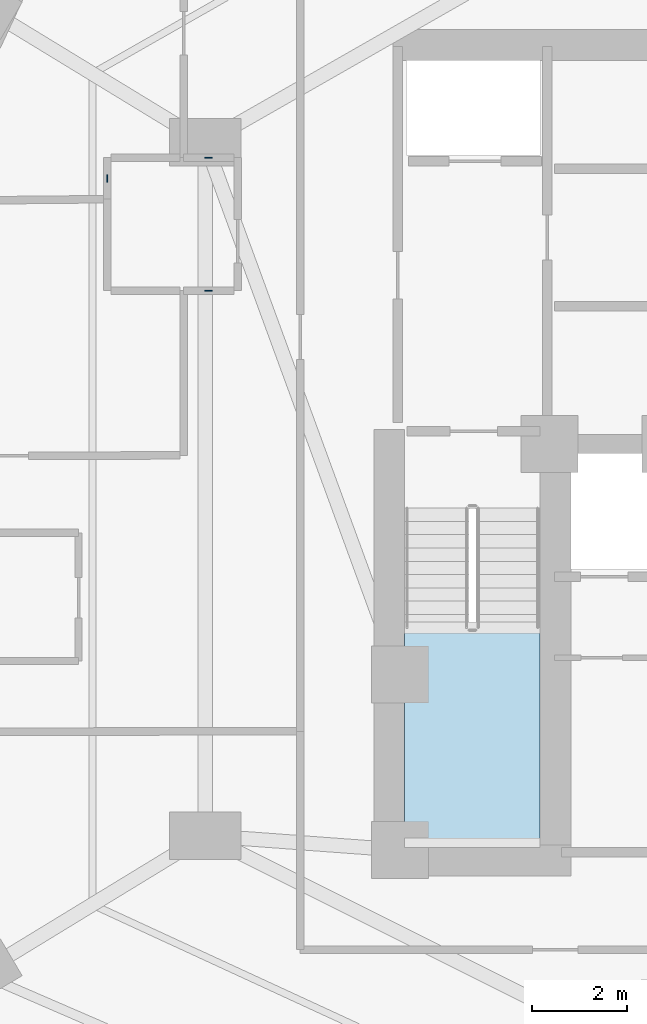
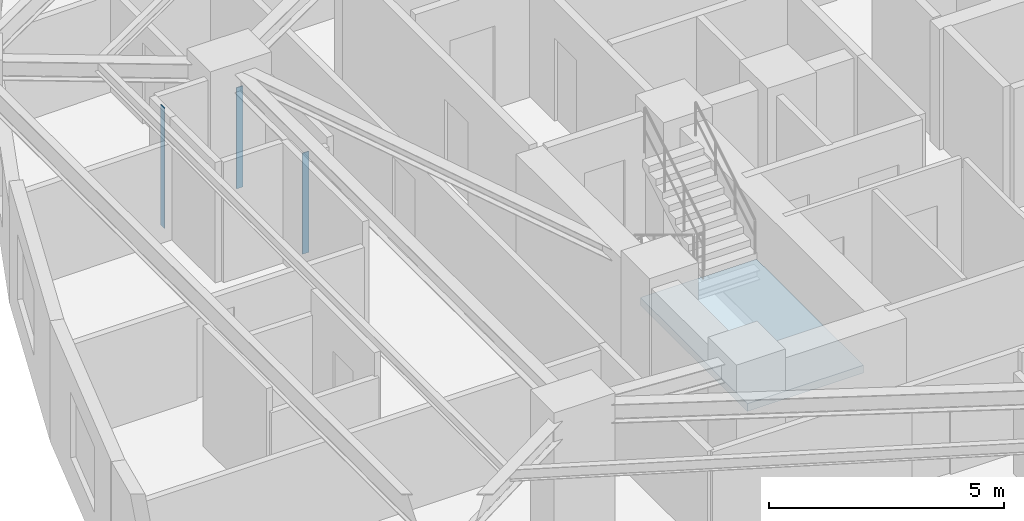
# One storey, part 2 of 13: 3 plates, 1 slab, 1 element without a shape of its own.
"""IFC4 building model written with IfcOpenShell, lengths in metres."""

import ifcopenshell
import ifcopenshell.guid

model = None  # the IFC model being written
_history = None  # IfcOwnerHistory: only IFC2X3 demands one
_inside = {}  # id of a spatial element -> (the spatial element, [elements in it])
_under = {}  # id of a project, library or spatial element -> (it, [spatial elements below it])
_declared = {}  # id of a project -> (the project, [libraries it declares])
_typed = {}  # id of a type object -> (the type object, [elements of that type])
_made_of = {}  # id of a material, layer set ... -> (it, [elements and type objects made of it])


def new_model(schema):
    """Start an empty IFC model of exactly this schema.

    Asked for "IFC4X3", IfcOpenShell would pick the latest addendum, in which some entities
    have other attributes; the version numbers below select the first issue.
    IFC2X3 requires an IfcOwnerHistory on every rooted entity: one is made here for all.
    """
    global model, _history
    if schema == "IFC4X3":
        model = ifcopenshell.file(schema_version=(4, 3, 0, 0))
    else:
        model = ifcopenshell.file(schema=schema)
    _inside.clear()
    _under.clear()
    _declared.clear()
    _typed.clear()
    _made_of.clear()
    _history = None
    if model.schema == "IFC2X3":
        org = make("IfcOrganization", Name="unknown")
        user = make(
            "IfcPersonAndOrganization",
            ThePerson=make("IfcPerson", FamilyName="unknown"),
            TheOrganization=org,
        )
        app = make(
            "IfcApplication",
            ApplicationDeveloper=org,
            Version="unknown",
            ApplicationFullName="unknown",
            ApplicationIdentifier="unknown",
        )
        _history = make(
            "IfcOwnerHistory",
            OwningUser=user,
            OwningApplication=app,
            ChangeAction="ADDED",
            CreationDate=0,
        )
    return model


def make(cls, **values):
    """One entity of the class cls with the attributes given. An attribute that is None is left unset."""
    return model.create_entity(
        cls, **{name: value for name, value in values.items() if value is not None}
    )


def rooted(cls, **values):
    """An entity with a GlobalId (a new one), such as an element, a storey or a relation."""
    return make(cls, GlobalId=ifcopenshell.guid.new(), OwnerHistory=_history, **values)


def si_unit(unit_type, name, prefix=None):
    """IfcSIUnit, for example si_unit("LENGTHUNIT", "METRE", prefix="MILLI")."""
    return make("IfcSIUnit", UnitType=unit_type, Prefix=prefix, Name=name)


def assignment(units):
    """IfcUnitAssignment: the units of a project."""
    return None if units is None else make("IfcUnitAssignment", Units=units)


def point(xyz):
    """IfcCartesianPoint."""
    return None if xyz is None else make("IfcCartesianPoint", Coordinates=xyz)


def direction(xyz):
    """IfcDirection."""
    return None if xyz is None else make("IfcDirection", DirectionRatios=xyz)


def frame(location, z_axis=None, x_axis=None):
    """IfcAxis2Placement3D, a coordinate frame: its origin and axes. An axis left out is left unset."""
    return make(
        "IfcAxis2Placement3D",
        Location=point(location),
        Axis=direction(z_axis),
        RefDirection=direction(x_axis),
    )


def frame_2d(location, x_axis=None):
    """IfcAxis2Placement2D, a coordinate frame in the plane: its origin and x axis."""
    return make(
        "IfcAxis2Placement2D", Location=point(location), RefDirection=direction(x_axis)
    )


def origin():
    """The frame at (0, 0, 0) with its axes left unset."""
    return frame((0.0, 0.0, 0.0))


def origin_2d():
    """The frame at (0, 0) in the plane with its x axis left unset."""
    return frame_2d((0.0, 0.0))


def place(relative_to, where):
    """IfcLocalPlacement: puts the frame where relative to a parent placement (None: the world)."""
    return make(
        "IfcLocalPlacement", PlacementRelTo=relative_to, RelativePlacement=where
    )


def context(
    kind, dimensions, precision=None, world=None, true_north=None, identifier=None
):
    """IfcGeometricRepresentationContext, for example the 3D "Model" context."""
    return make(
        "IfcGeometricRepresentationContext",
        ContextIdentifier=identifier,
        ContextType=kind,
        CoordinateSpaceDimension=dimensions,
        Precision=precision,
        WorldCoordinateSystem=world,
        TrueNorth=true_north,
    )


def subcontext(parent, identifier, kind, view, scale=None):
    """IfcGeometricRepresentationSubContext, for example "Body" below "Model"."""
    return make(
        "IfcGeometricRepresentationSubContext",
        ContextIdentifier=identifier,
        ContextType=kind,
        ParentContext=parent,
        TargetScale=scale,
        TargetView=view,
    )


def project(units=None, contexts=None):
    """IfcProject with its units and contexts."""
    return rooted(
        "IfcProject",
        Name="project",
        RepresentationContexts=contexts,
        UnitsInContext=assignment(units),
    )


def spatial(cls, under=None, at=None, **own):
    """A site, building, storey or space (cls), placed at a placement, below another one or the project."""
    s = rooted(cls, ObjectPlacement=at, **own)
    if under is not None:
        _under.setdefault(under.id(), (under, []))[1].append(s)
    return s


def polyline(points):
    """IfcPolyline through the points."""
    return make("IfcPolyline", Points=[point(p) for p in points])


def profile(cls, at=None, kind="AREA", **sizes):
    """A parametric profile (cls). Its sizes go by their IFC names, for example OverallWidth=200.0."""
    return make(cls, ProfileType=kind, Position=at, **sizes)


def rectangle(**sizes):
    """IfcRectangleProfileDef."""
    return profile("IfcRectangleProfileDef", **sizes)


def outline(outer, holes=None, kind="AREA"):
    """IfcArbitraryClosedProfileDef: a profile drawn as a closed curve; with holes, ...WithVoids."""
    if holes is None:
        return make("IfcArbitraryClosedProfileDef", ProfileType=kind, OuterCurve=outer)
    return make(
        "IfcArbitraryProfileDefWithVoids",
        ProfileType=kind,
        OuterCurve=outer,
        InnerCurves=holes,
    )


def extrude(swept, where, along, depth):
    """IfcExtrudedAreaSolid: the profile swept, set in the frame where, extruded along a direction by depth."""
    return make(
        "IfcExtrudedAreaSolid",
        SweptArea=swept,
        Position=where,
        ExtrudedDirection=direction(along),
        Depth=depth,
    )


def shape(context_of_items, identifier, shape_type, items):
    """IfcShapeRepresentation: the items that make up one representation, for example the "Body"."""
    return make(
        "IfcShapeRepresentation",
        ContextOfItems=context_of_items,
        RepresentationIdentifier=identifier,
        RepresentationType=shape_type,
        Items=items,
    )


def material(Name=None, Category=None):
    """IfcMaterial."""
    return make("IfcMaterial", Name=Name, Category=Category)


def layer(
    of_material, thickness, ventilated=None, Name=None, Category=None, Priority=None
):
    """IfcMaterialLayer: one layer of a wall or slab, of a material (None: an air gap)."""
    return make(
        "IfcMaterialLayer",
        Material=of_material,
        LayerThickness=thickness,
        IsVentilated=ventilated,
        Name=Name,
        Category=Category,
        Priority=Priority,
    )


def layer_set(layers, Name=None):
    """IfcMaterialLayerSet."""
    return make("IfcMaterialLayerSet", MaterialLayers=layers, LayerSetName=Name)


def made_of(thing, what):
    """Note that an element or type object is made of a material, layer set ...; save() writes the relation."""
    if what is not None:
        _made_of.setdefault(what.id(), (what, []))[1].append(thing)
    return thing


def type_object(cls, material=None, **own):
    """A type object (cls), such as IfcWallType, which elements share."""
    return made_of(rooted(cls, **own), material)


def element(
    cls,
    number,
    at=None,
    inside=None,
    cuts=None,
    type_object=None,
    material=None,
    context=None,
    identifier="Body",
    shape_type=None,
    held_by="IfcProductDefinitionShape",
    body=None,
    shapes=None,
    **own,
):
    """One element of the class cls, such as IfcWall. Its Tag is "e" and its number.

    at: its placement. inside: the storey or other place that contains it. cuts: it is an
    opening in that element (IfcRelVoidsElement). A single representation is given by context,
    identifier, shape_type and body (its items); several are given by shapes. held_by: the class
    of the entity that holds the representations. save() writes the other relations.
    """
    e = rooted(cls, Tag="e%d" % number, ObjectPlacement=at, **own)
    if body is not None:
        shapes = [shape(context, identifier, shape_type, body)]
    if shapes is not None:
        e.Representation = make(held_by, Representations=shapes)
    if inside is not None:
        _inside.setdefault(inside.id(), (inside, []))[1].append(e)
    if cuts is not None:
        rooted(
            "IfcRelVoidsElement", RelatingBuildingElement=cuts, RelatedOpeningElement=e
        )
    if type_object is not None:
        _typed.setdefault(type_object.id(), (type_object, []))[1].append(e)
    return made_of(e, material)


def aggregate(whole, parts):
    """IfcRelAggregates: a whole, such as a stair, and the parts it consists of."""
    return rooted("IfcRelAggregates", RelatingObject=whole, RelatedObjects=parts)


def save(model, path):
    """Write the relations noted so far, then the file.

    IfcRelAggregates (storeys below a building ...), IfcRelContainedInSpatialStructure (elements
    in a storey), IfcRelDefinesByType, IfcRelAssociatesMaterial and IfcRelDeclares: one each for
    every whole, place, type object, material and project.
    """
    for whole, parts in _under.values():
        aggregate(whole, parts)
    for where, things in _inside.values():
        rooted(
            "IfcRelContainedInSpatialStructure",
            RelatedElements=things,
            RelatingStructure=where,
        )
    for kind, things in _typed.values():
        rooted("IfcRelDefinesByType", RelatedObjects=things, RelatingType=kind)
    for what, things in _made_of.values():
        rooted("IfcRelAssociatesMaterial", RelatedObjects=things, RelatingMaterial=what)
    for by, libraries in _declared.values():
        rooted("IfcRelDeclares", RelatingContext=by, RelatedDefinitions=libraries)
    model.write(path)


model = new_model("IFC4")

# Units and contexts
model_context = context("Model", 3, precision=1e-05, world=origin(), true_north=direction((0.0, 1.0)))
body_context = subcontext(model_context, "Body", "Model", "MODEL_VIEW")
ifc_project = project(units=[si_unit("LENGTHUNIT", "METRE"), si_unit("AREAUNIT", "SQUARE_METRE"), si_unit("VOLUMEUNIT", "CUBIC_METRE"), si_unit("PLANEANGLEUNIT", "RADIAN"), si_unit("MASSUNIT", "GRAM", prefix="KILO")], contexts=[model_context])

# Site, building, storey
site_placement = place(None, origin())
site = spatial("IfcSite", under=ifc_project, at=site_placement, CompositionType="ELEMENT")
building_placement = place(site_placement, origin())
building = spatial("IfcBuilding", under=site, at=building_placement, Name="Miruveldt Soraemaru", CompositionType="ELEMENT")
storey_placement = place(building_placement, frame((0.0, 0.0, 59.800048828125)))
storey = spatial("IfcBuildingStorey", under=building, at=storey_placement, Name="L16", CompositionType="ELEMENT", Elevation=59.800048828125)

# Plates
ifc_material_1 = material(Name="Anodised aluminium EN AW-6063 T6", Category="aluminium")
ifc_layer_1 = layer(ifc_material_1, 0.02001953125, Name="Anodised aluminium EN AW-6063 T6", Category="aluminium")
ifc_layer_set_1 = layer_set([ifc_layer_1], Name="Anodised aluminium EN AW-6063 T6")
plate_type = type_object("IfcPlateType", Name="PLT-PART-TRIM", PredefinedType="SHEET", material=ifc_layer_set_1)
for number, where, z_axis, x_axis, name in (
    (1, (31.471923828125, 50.080078125, 0.0), (0.0, 0.0, 1.0), (-1.0, 0.0, 0.0), "L16 Partition Step Corner Trim Plate 047"),
    (2, (31.471923828125, 47.280029296875, 0.0), (0.0, 0.0, 1.0), (1.0, 0.0, 0.0), "L16 Partition Step Corner Trim Plate 048"),
):
    element("IfcPlate", number, at=place(storey_placement, frame(where, z_axis=z_axis, x_axis=x_axis)), inside=storey, type_object=plate_type, Name=name, PredefinedType="SHEET", context=body_context, shape_type="SweptSolid", body=[
        extrude(rectangle(XDim=0.159912109375, YDim=0.02001953125, at=origin_2d()), origin(), (0.0, 0.0, 1.0), 2.625),
    ])
plate_placement = place(storey_placement, frame((29.333984375, 49.642578125, 0.0), z_axis=(0.0, 0.0, 1.0), x_axis=(0.0, -1.0, 0.0)))
element("IfcPlate", 3, at=plate_placement, inside=storey, type_object=plate_type, Name="L16 Partition Step Corner Trim Plate 056", PredefinedType="SHEET", context=body_context, shape_type="SweptSolid", body=[
    extrude(rectangle(XDim=0.159912109375, YDim=0.02001953125, at=origin_2d()), origin(), (0.0, 0.0, 1.0), 3.125),
])

# Stair, slab
ifc_material_2 = material(Name="Concrete C40/50 (40 MPa)", Category="concrete")
stair_type = type_object("IfcStairType", Name="STAIR-DL-340", PredefinedType="HALF_TURN_STAIR", material=ifc_material_2)
stair_placement = place(storey_placement, origin())
stair = element("IfcStair", 4, at=stair_placement, inside=storey, type_object=stair_type, Name="L16 Protected Exit Stair ST-1", PredefinedType="HALF_TURN_STAIR")
ifc_layer_2 = layer(ifc_material_2, 0.199951171875, Name="Concrete C40/50 (40 MPa)", Category="concrete")
ifc_layer_set_2 = layer_set([ifc_layer_2], Name="Concrete C40/50 (40 MPa)")
slab_type = type_object("IfcSlabType", Name="SLAB-LAND-200", PredefinedType="LANDING", material=ifc_layer_set_2)
slab_placement = place(storey_placement, frame((0.0, 0.0, 1.5)))
slab = element("IfcSlab", 5, at=slab_placement, type_object=slab_type, Name="ST-1 landing 1", PredefinedType="LANDING", context=body_context, shape_type="SweptSolid", body=[
    extrude(outline(polyline([(35.60009765625, 40.197998046875), (35.60009765625, 35.64990234375), (38.449951171875, 35.64990234375), (38.449951171875, 40.197998046875), (35.60009765625, 40.197998046875)])), origin(), (0.0, 0.0, 1.0), 0.199951171875),
])
aggregate(stair, [slab])

save(model, "model.ifc")
